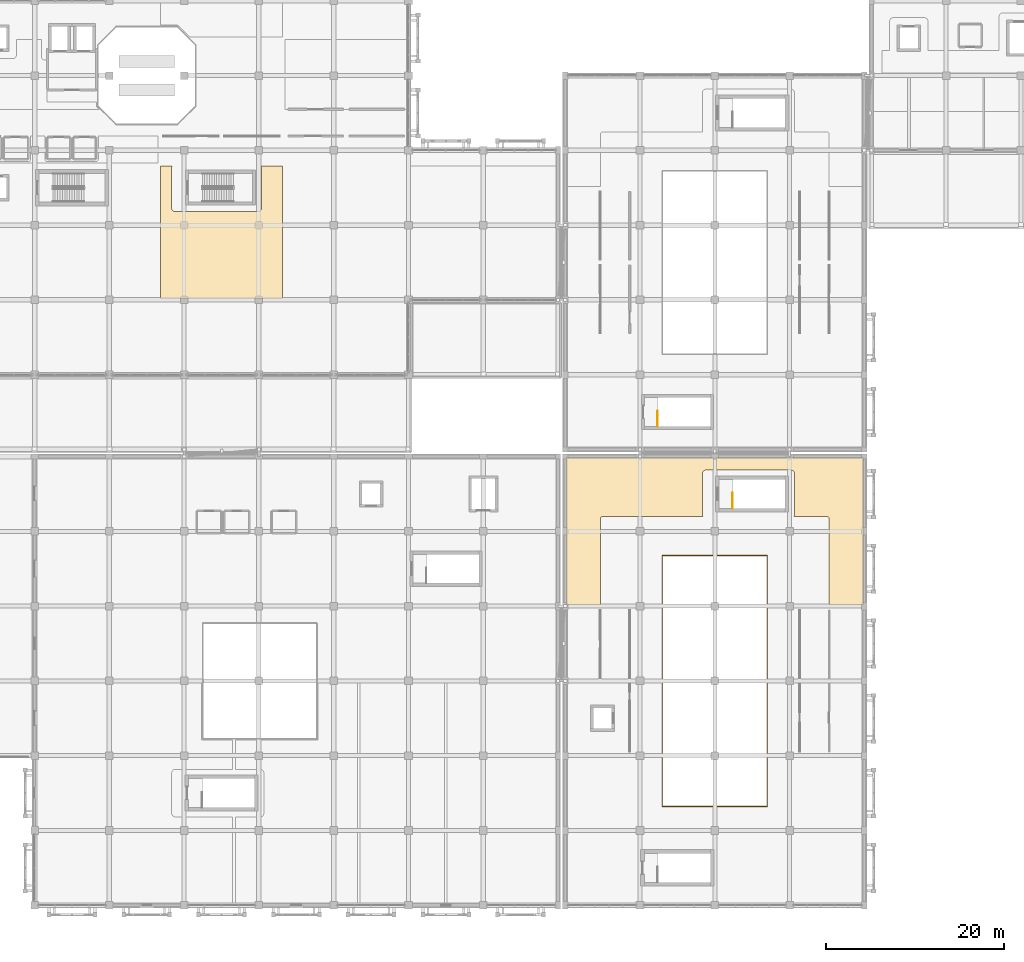
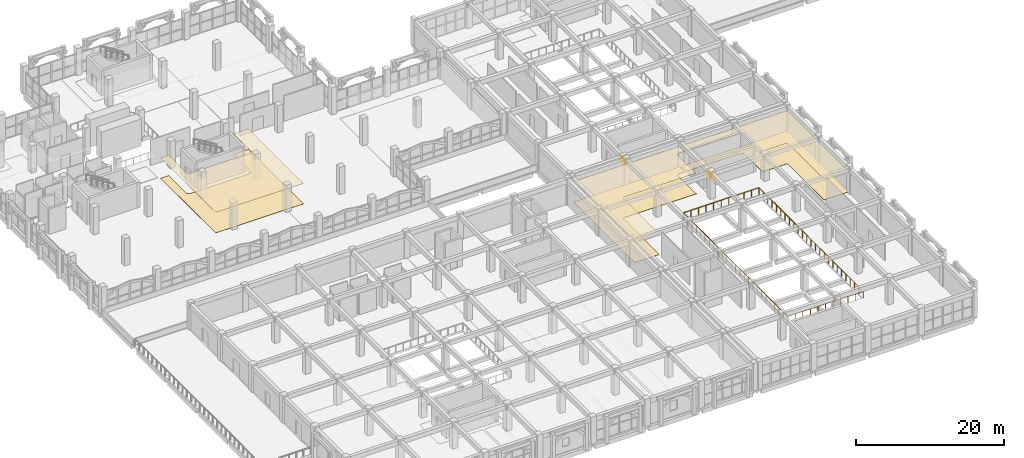
# One storey, part 120 of 129: 6 coverings, 3 railings.
"""IFC4 building model written with IfcOpenShell, lengths in metres."""

from ifc_helpers import new_model, si_unit, direction, frame, origin, origin_2d, place, context, subcontext, project, spatial, polyline, circle, outline, extrude, material, layer, layer_set, type_object, element, save


model = new_model("IFC4")

# Units and contexts
model_context = context("Model", 3, precision=1e-05, world=origin(), true_north=direction((0.0, 1.0)))
body_context = subcontext(model_context, "Body", "Model", "MODEL_VIEW")
ifc_project = project(units=[si_unit("LENGTHUNIT", "METRE"), si_unit("AREAUNIT", "SQUARE_METRE"), si_unit("VOLUMEUNIT", "CUBIC_METRE"), si_unit("PLANEANGLEUNIT", "RADIAN"), si_unit("MASSUNIT", "GRAM", prefix="KILO")], contexts=[model_context])

# Site, building, storey
site_placement = place(None, origin())
site = spatial("IfcSite", under=ifc_project, at=site_placement, CompositionType="ELEMENT")
building_placement = place(site_placement, origin())
building = spatial("IfcBuilding", under=site, at=building_placement, Name="Xazarin Passage Department Store", CompositionType="ELEMENT")
storey_placement = place(building_placement, frame((0.0, 0.0, 9.89990234375)))
storey = spatial("IfcBuildingStorey", under=building, at=storey_placement, Name="L02", CompositionType="ELEMENT", Elevation=9.89990234375)

# Coverings
ifc_material_1 = material(Name="Acoustic mineral ceiling")
ifc_layer_1 = layer(ifc_material_1, 0.030029296875)
ifc_layer_set_1 = layer_set([ifc_layer_1], Name="Acoustic mineral ceiling")
covering_type_1 = type_object("IfcCoveringType", Name="ARC-COV-CLG030", PredefinedType="CEILING", material=ifc_layer_set_1)
covering_1_placement = place(storey_placement, frame((0.0, 0.0, 3.3701171875)))
element("IfcCovering", 1, at=covering_1_placement, inside=storey, type_object=covering_type_1, Name="L02 Menswear Tailoring Salon Acoustic Ceiling", PredefinedType="CEILING", context=body_context, shape_type="SweptSolid", body=[
    extrude(outline(polyline([(33.856689453125, 83.050048828125), (33.86962890625, 83.023193359375), (33.8828125, 82.986083984375), (33.892333984375, 82.947998046875), (33.898193359375, 82.9091796875), (33.89990234375, 82.8701171875), (33.89990234375, 78.330078125), (33.898193359375, 78.290771484375), (33.892333984375, 78.251953125), (33.8828125, 78.2138671875), (33.86962890625, 78.177001953125), (33.852783203125, 78.141357421875), (33.83251953125, 78.10791015625), (33.80908203125, 78.076171875), (33.78271484375, 78.047119140625), (33.75390625, 78.020751953125), (33.72216796875, 77.997314453125), (33.688720703125, 77.977294921875), (33.653076171875, 77.96044921875), (33.6162109375, 77.947265625), (33.577880859375, 77.937744140625), (33.539306640625, 77.931884765625), (33.5, 77.929931640625), (24.199951171875, 77.929931640625), (24.160888671875, 77.931884765625), (24.1220703125, 77.937744140625), (24.083984375, 77.947265625), (24.046875, 77.96044921875), (24.011474609375, 77.977294921875), (23.977783203125, 77.997314453125), (23.9462890625, 78.020751953125), (23.917236328125, 78.047119140625), (23.890869140625, 78.076171875), (23.867431640625, 78.10791015625), (23.84716796875, 78.141357421875), (23.830322265625, 78.177001953125), (23.817138671875, 78.2138671875), (23.8076171875, 78.251953125), (23.802001953125, 78.290771484375), (23.800048828125, 78.330078125), (23.800048828125, 82.8701171875), (23.802001953125, 82.9091796875), (23.8076171875, 82.947998046875), (23.817138671875, 82.986083984375), (23.830322265625, 83.023193359375), (23.84326171875, 83.050048828125), (22.550048828125, 83.050048828125), (22.550048828125, 68.14990234375), (36.25, 68.14990234375), (36.25, 83.050048828125), (33.856689453125, 83.050048828125)])), origin(), (0.0, 0.0, 1.0), 0.030029296875),
])
covering_2_placement = place(storey_placement, frame((0.0, 0.0, 3.41015625)))
element("IfcCovering", 2, at=covering_2_placement, inside=storey, type_object=covering_type_1, Name="L02 Fragrance Atelier Acoustic Ceiling", PredefinedType="CEILING", context=body_context, shape_type="SweptSolid", body=[
    extrude(outline(polyline([(83.5146484375, 43.64990234375), (83.49072265625, 43.67626953125), (83.46728515625, 43.707763671875), (83.447265625, 43.741455078125), (83.430419921875, 43.77685546875), (83.417236328125, 43.81396484375), (83.40771484375, 43.85205078125), (83.40185546875, 43.890869140625), (83.39990234375, 43.929931640625), (83.39990234375, 48.469970703125), (83.40185546875, 48.50927734375), (83.40771484375, 48.548095703125), (83.417236328125, 48.586181640625), (83.430419921875, 48.623046875), (83.447265625, 48.65869140625), (83.46728515625, 48.692138671875), (83.49072265625, 48.723876953125), (83.51708984375, 48.752685546875), (83.546142578125, 48.779296875), (83.577880859375, 48.802490234375), (83.611328125, 48.82275390625), (83.64697265625, 48.839599609375), (83.683837890625, 48.852783203125), (83.721923828125, 48.8623046875), (83.7607421875, 48.8681640625), (83.800048828125, 48.8701171875), (84.64990234375, 48.8701171875), (84.64990234375, 50.300048828125), (68.10009765625, 50.300048828125), (68.10009765625, 33.75), (71.949951171875, 33.75), (71.949951171875, 43.39990234375), (71.951171875, 43.424560546875), (71.954833984375, 43.44873046875), (71.960693359375, 43.47265625), (71.968994140625, 43.49560546875), (71.9794921875, 43.517822265625), (71.9921875, 43.538818359375), (72.006591796875, 43.55859375), (72.023193359375, 43.576904296875), (72.04150390625, 43.59326171875), (72.06103515625, 43.60791015625), (72.082275390625, 43.62060546875), (72.104248046875, 43.631103515625), (72.12744140625, 43.63916015625), (72.151123046875, 43.645263671875), (72.175537109375, 43.648681640625), (72.199951171875, 43.64990234375), (83.5146484375, 43.64990234375)])), origin(), (0.0, 0.0, 1.0), 0.030029296875),
])
ifc_layer_2 = layer(ifc_material_1, 0.0400390625)
ifc_layer_set_2 = layer_set([ifc_layer_2], Name="Acoustic mineral ceiling")
covering_type_2 = type_object("IfcCoveringType", Name="ARC-COV-CLG040", PredefinedType="CEILING", material=ifc_layer_set_2)
covering_3_placement = place(storey_placement, frame((0.0, 0.0, 3.400146484375)))
element("IfcCovering", 3, at=covering_3_placement, inside=storey, type_object=covering_type_2, Name="L02 Millinery and Scarf Salon Acoustic Ceiling", PredefinedType="CEILING", context=body_context, shape_type="SweptSolid", body=[
    extrude(outline(polyline([(84.949951171875, 48.8701171875), (93.35009765625, 48.8701171875), (93.38916015625, 48.8681640625), (93.427978515625, 48.8623046875), (93.466064453125, 48.852783203125), (93.503173828125, 48.839599609375), (93.53857421875, 48.82275390625), (93.572265625, 48.802490234375), (93.603759765625, 48.779296875), (93.6328125, 48.752685546875), (93.6591796875, 48.723876953125), (93.6826171875, 48.692138671875), (93.702880859375, 48.65869140625), (93.719482421875, 48.623046875), (93.73291015625, 48.586181640625), (93.7421875, 48.548095703125), (93.748046875, 48.50927734375), (93.75, 48.469970703125), (93.75, 43.929931640625), (93.748046875, 43.890869140625), (93.7421875, 43.85205078125), (93.73291015625, 43.81396484375), (93.719482421875, 43.77685546875), (93.702880859375, 43.741455078125), (93.6826171875, 43.707763671875), (93.6591796875, 43.67626953125), (93.635498046875, 43.64990234375), (97.39990234375, 43.64990234375), (97.424560546875, 43.648681640625), (97.44873046875, 43.645263671875), (97.47265625, 43.63916015625), (97.49560546875, 43.631103515625), (97.517822265625, 43.62060546875), (97.538818359375, 43.60791015625), (97.55859375, 43.59326171875), (97.576904296875, 43.576904296875), (97.59326171875, 43.55859375), (97.60791015625, 43.538818359375), (97.62060546875, 43.517822265625), (97.631103515625, 43.49560546875), (97.63916015625, 43.47265625), (97.645263671875, 43.44873046875), (97.648681640625, 43.424560546875), (97.64990234375, 43.39990234375), (97.64990234375, 33.75), (101.5, 33.75), (101.5, 50.300048828125), (84.949951171875, 50.300048828125), (84.949951171875, 48.8701171875)])), origin(), (0.0, 0.0, 1.0), 0.0400390625),
])
ifc_material_2 = material(Name="Terrazzo stone flooring", Category="masonry")
ifc_layer_3 = layer(ifc_material_2, 0.02490234375)
ifc_layer_set_3 = layer_set([ifc_layer_3], Name="Terrazzo stone flooring")
covering_type_3 = type_object("IfcCoveringType", Name="ARC-COV-FLR025", PredefinedType="FLOORING", material=ifc_layer_set_3)
covering_4_placement = place(storey_placement, origin())
element("IfcCovering", 4, at=covering_4_placement, inside=storey, type_object=covering_type_3, Name="L02 Menswear Tailoring Salon Terrazzo Flooring", PredefinedType="FLOORING", context=body_context, shape_type="SweptSolid", body=[
    extrude(outline(polyline([(33.856689453125, 83.050048828125), (33.86962890625, 83.023193359375), (33.8828125, 82.986083984375), (33.892333984375, 82.947998046875), (33.898193359375, 82.9091796875), (33.89990234375, 82.8701171875), (33.89990234375, 78.330078125), (33.898193359375, 78.290771484375), (33.892333984375, 78.251953125), (33.8828125, 78.2138671875), (33.86962890625, 78.177001953125), (33.852783203125, 78.141357421875), (33.83251953125, 78.10791015625), (33.80908203125, 78.076171875), (33.78271484375, 78.047119140625), (33.75390625, 78.020751953125), (33.72216796875, 77.997314453125), (33.688720703125, 77.977294921875), (33.653076171875, 77.96044921875), (33.6162109375, 77.947265625), (33.577880859375, 77.937744140625), (33.539306640625, 77.931884765625), (33.5, 77.929931640625), (24.199951171875, 77.929931640625), (24.160888671875, 77.931884765625), (24.1220703125, 77.937744140625), (24.083984375, 77.947265625), (24.046875, 77.96044921875), (24.011474609375, 77.977294921875), (23.977783203125, 77.997314453125), (23.9462890625, 78.020751953125), (23.917236328125, 78.047119140625), (23.890869140625, 78.076171875), (23.867431640625, 78.10791015625), (23.84716796875, 78.141357421875), (23.830322265625, 78.177001953125), (23.817138671875, 78.2138671875), (23.8076171875, 78.251953125), (23.802001953125, 78.290771484375), (23.800048828125, 78.330078125), (23.800048828125, 82.8701171875), (23.802001953125, 82.9091796875), (23.8076171875, 82.947998046875), (23.817138671875, 82.986083984375), (23.830322265625, 83.023193359375), (23.84326171875, 83.050048828125), (22.550048828125, 83.050048828125), (22.550048828125, 68.14990234375), (36.25, 68.14990234375), (36.25, 83.050048828125), (33.856689453125, 83.050048828125)])), origin(), (0.0, 0.0, 1.0), 0.025146484375),
])
covering_5_placement = place(storey_placement, origin())
element("IfcCovering", 5, at=covering_5_placement, inside=storey, type_object=covering_type_3, Name="L02 Fragrance Atelier Terrazzo Flooring", PredefinedType="FLOORING", context=body_context, shape_type="SweptSolid", body=[
    extrude(outline(polyline([(83.5146484375, 43.64990234375), (83.49072265625, 43.67626953125), (83.46728515625, 43.707763671875), (83.447265625, 43.741455078125), (83.430419921875, 43.77685546875), (83.417236328125, 43.81396484375), (83.40771484375, 43.85205078125), (83.40185546875, 43.890869140625), (83.39990234375, 43.929931640625), (83.39990234375, 48.469970703125), (83.40185546875, 48.50927734375), (83.40771484375, 48.548095703125), (83.417236328125, 48.586181640625), (83.430419921875, 48.623046875), (83.447265625, 48.65869140625), (83.46728515625, 48.692138671875), (83.49072265625, 48.723876953125), (83.51708984375, 48.752685546875), (83.546142578125, 48.779296875), (83.577880859375, 48.802490234375), (83.611328125, 48.82275390625), (83.64697265625, 48.839599609375), (83.683837890625, 48.852783203125), (83.721923828125, 48.8623046875), (83.7607421875, 48.8681640625), (83.800048828125, 48.8701171875), (84.64990234375, 48.8701171875), (84.64990234375, 50.300048828125), (68.10009765625, 50.300048828125), (68.10009765625, 33.75), (71.949951171875, 33.75), (71.949951171875, 43.39990234375), (71.951171875, 43.424560546875), (71.954833984375, 43.44873046875), (71.960693359375, 43.47265625), (71.968994140625, 43.49560546875), (71.9794921875, 43.517822265625), (71.9921875, 43.538818359375), (72.006591796875, 43.55859375), (72.023193359375, 43.576904296875), (72.04150390625, 43.59326171875), (72.06103515625, 43.60791015625), (72.082275390625, 43.62060546875), (72.104248046875, 43.631103515625), (72.12744140625, 43.63916015625), (72.151123046875, 43.645263671875), (72.175537109375, 43.648681640625), (72.199951171875, 43.64990234375), (83.5146484375, 43.64990234375)])), origin(), (0.0, 0.0, 1.0), 0.025146484375),
])
ifc_layer_4 = layer(ifc_material_2, 0.034912109375)
ifc_layer_set_4 = layer_set([ifc_layer_4], Name="Terrazzo stone flooring")
covering_type_4 = type_object("IfcCoveringType", Name="ARC-COV-FLR035", PredefinedType="FLOORING", material=ifc_layer_set_4)
covering_6_placement = place(storey_placement, origin())
element("IfcCovering", 6, at=covering_6_placement, inside=storey, type_object=covering_type_4, Name="L02 Millinery and Scarf Salon Terrazzo Flooring", PredefinedType="FLOORING", context=body_context, shape_type="SweptSolid", body=[
    extrude(outline(polyline([(84.949951171875, 48.8701171875), (93.35009765625, 48.8701171875), (93.38916015625, 48.8681640625), (93.427978515625, 48.8623046875), (93.466064453125, 48.852783203125), (93.503173828125, 48.839599609375), (93.53857421875, 48.82275390625), (93.572265625, 48.802490234375), (93.603759765625, 48.779296875), (93.6328125, 48.752685546875), (93.6591796875, 48.723876953125), (93.6826171875, 48.692138671875), (93.702880859375, 48.65869140625), (93.719482421875, 48.623046875), (93.73291015625, 48.586181640625), (93.7421875, 48.548095703125), (93.748046875, 48.50927734375), (93.75, 48.469970703125), (93.75, 43.929931640625), (93.748046875, 43.890869140625), (93.7421875, 43.85205078125), (93.73291015625, 43.81396484375), (93.719482421875, 43.77685546875), (93.702880859375, 43.741455078125), (93.6826171875, 43.707763671875), (93.6591796875, 43.67626953125), (93.635498046875, 43.64990234375), (97.39990234375, 43.64990234375), (97.424560546875, 43.648681640625), (97.44873046875, 43.645263671875), (97.47265625, 43.63916015625), (97.49560546875, 43.631103515625), (97.517822265625, 43.62060546875), (97.538818359375, 43.60791015625), (97.55859375, 43.59326171875), (97.576904296875, 43.576904296875), (97.59326171875, 43.55859375), (97.60791015625, 43.538818359375), (97.62060546875, 43.517822265625), (97.631103515625, 43.49560546875), (97.63916015625, 43.47265625), (97.645263671875, 43.44873046875), (97.648681640625, 43.424560546875), (97.64990234375, 43.39990234375), (97.64990234375, 33.75), (101.5, 33.75), (101.5, 50.300048828125), (84.949951171875, 50.300048828125), (84.949951171875, 48.8701171875)])), origin(), (0.0, 0.0, 1.0), 0.03515625),
])

# Railings
ifc_material_3 = material(Name="Low-E laminated safety glass", Category="glass")
railing_type_1 = type_object("IfcRailingType", Name="ARC-RL-BAL115", PredefinedType="BALUSTRADE", material=ifc_material_3)
railing_placement = place(storey_placement, frame((78.89990234375, 11.10009765625, 0.0)))
element("IfcRailing", 7, at=railing_placement, inside=storey, type_object=railing_type_1, Name="L02 Void Edge Balustrade 0006", PredefinedType="BALUSTRADE", context=body_context, shape_type="SweptSolid", body=[
    extrude(circle(Radius=0.02392578125, at=origin_2d()), frame((0.03125, 0.0, 1.1259765625), z_axis=(1.0, 0.0, 0.0), x_axis=(0.0, 1.0, 0.0)), (0.0, 0.0, 1.0), 11.737548828125),
    extrude(circle(Radius=0.02392578125, at=origin_2d()), frame((11.800048828125, 0.03125, 1.1259765625), z_axis=(0.0, 1.0, 0.0), x_axis=(-1.0, 0.0, 0.0)), (0.0, 0.0, 1.0), 28.137451171875),
    extrude(circle(Radius=0.02392578125, at=origin_2d()), frame((11.768798828125, 28.199951171875, 1.1259765625), z_axis=(-1.0, 0.0, 0.0), x_axis=(0.0, -1.0, 0.0)), (0.0, 0.0, 1.0), 11.737548828125),
    extrude(circle(Radius=0.02392578125, at=origin_2d()), frame((0.0, 28.168701171875, 1.1259765625), z_axis=(0.0, -1.0, 0.0), x_axis=(1.0, 0.0, 0.0)), (0.0, 0.0, 1.0), 28.137451171875),
    extrude(circle(Radius=0.02099609375, at=origin_2d()), origin(), (0.0, 0.0, 1.0), 1.1015625),
    extrude(circle(Radius=0.02099609375, at=origin_2d()), frame((1.179931640625, 0.0, 0.0)), (0.0, 0.0, 1.0), 1.1015625),
    extrude(circle(Radius=0.02099609375, at=origin_2d()), frame((2.360107421875, 0.0, 0.0)), (0.0, 0.0, 1.0), 1.1015625),
    extrude(circle(Radius=0.02099609375, at=origin_2d()), frame((3.5400390625, 0.0, 0.0)), (0.0, 0.0, 1.0), 1.1015625),
    extrude(circle(Radius=0.02099609375, at=origin_2d()), frame((4.719970703125, 0.0, 0.0)), (0.0, 0.0, 1.0), 1.1015625),
    extrude(circle(Radius=0.02099609375, at=origin_2d()), frame((5.89990234375, 0.0, 0.0)), (0.0, 0.0, 1.0), 1.1015625),
    extrude(circle(Radius=0.02099609375, at=origin_2d()), frame((7.080078125, 0.0, 0.0)), (0.0, 0.0, 1.0), 1.1015625),
    extrude(circle(Radius=0.02099609375, at=origin_2d()), frame((8.260009765625, 0.0, 0.0)), (0.0, 0.0, 1.0), 1.1015625),
    extrude(circle(Radius=0.02099609375, at=origin_2d()), frame((9.43994140625, 0.0, 0.0)), (0.0, 0.0, 1.0), 1.1015625),
    extrude(circle(Radius=0.02099609375, at=origin_2d()), frame((10.6201171875, 0.0, 0.0)), (0.0, 0.0, 1.0), 1.1015625),
    extrude(circle(Radius=0.02099609375, at=origin_2d()), frame((11.800048828125, 0.0, 0.0)), (0.0, 0.0, 1.0), 1.1015625),
    extrude(circle(Radius=0.02099609375, at=origin_2d()), frame((11.800048828125, 1.175048828125, 0.0)), (0.0, 0.0, 1.0), 1.1015625),
    extrude(circle(Radius=0.02099609375, at=origin_2d()), frame((11.800048828125, 2.35009765625, 0.0)), (0.0, 0.0, 1.0), 1.1015625),
    extrude(circle(Radius=0.02099609375, at=origin_2d()), frame((11.800048828125, 3.52490234375, 0.0)), (0.0, 0.0, 1.0), 1.1015625),
    extrude(circle(Radius=0.02099609375, at=origin_2d()), frame((11.800048828125, 4.699951171875, 0.0)), (0.0, 0.0, 1.0), 1.1015625),
    extrude(circle(Radius=0.02099609375, at=origin_2d()), frame((11.800048828125, 5.875, 0.0)), (0.0, 0.0, 1.0), 1.1015625),
    extrude(circle(Radius=0.02099609375, at=origin_2d()), frame((11.800048828125, 7.050048828125, 0.0)), (0.0, 0.0, 1.0), 1.1015625),
    extrude(circle(Radius=0.02099609375, at=origin_2d()), frame((11.800048828125, 8.22509765625, 0.0)), (0.0, 0.0, 1.0), 1.1015625),
    extrude(circle(Radius=0.02099609375, at=origin_2d()), frame((11.800048828125, 9.39990234375, 0.0)), (0.0, 0.0, 1.0), 1.1015625),
    extrude(circle(Radius=0.02099609375, at=origin_2d()), frame((11.800048828125, 10.574951171875, 0.0)), (0.0, 0.0, 1.0), 1.1015625),
    extrude(circle(Radius=0.02099609375, at=origin_2d()), frame((11.800048828125, 11.75, 0.0)), (0.0, 0.0, 1.0), 1.1015625),
    extrude(circle(Radius=0.02099609375, at=origin_2d()), frame((11.800048828125, 12.925048828125, 0.0)), (0.0, 0.0, 1.0), 1.1015625),
    extrude(circle(Radius=0.02099609375, at=origin_2d()), frame((11.800048828125, 14.10009765625, 0.0)), (0.0, 0.0, 1.0), 1.1015625),
    extrude(circle(Radius=0.02099609375, at=origin_2d()), frame((11.800048828125, 15.27490234375, 0.0)), (0.0, 0.0, 1.0), 1.1015625),
    extrude(circle(Radius=0.02099609375, at=origin_2d()), frame((11.800048828125, 16.449951171875, 0.0)), (0.0, 0.0, 1.0), 1.1015625),
    extrude(circle(Radius=0.02099609375, at=origin_2d()), frame((11.800048828125, 17.625, 0.0)), (0.0, 0.0, 1.0), 1.1015625),
    extrude(circle(Radius=0.02099609375, at=origin_2d()), frame((11.800048828125, 18.800048828125, 0.0)), (0.0, 0.0, 1.0), 1.1015625),
    extrude(circle(Radius=0.02099609375, at=origin_2d()), frame((11.800048828125, 19.974853515625, 0.0)), (0.0, 0.0, 1.0), 1.1015625),
    extrude(circle(Radius=0.02099609375, at=origin_2d()), frame((11.800048828125, 21.14990234375, 0.0)), (0.0, 0.0, 1.0), 1.1015625),
    extrude(circle(Radius=0.02099609375, at=origin_2d()), frame((11.800048828125, 22.324951171875, 0.0)), (0.0, 0.0, 1.0), 1.1015625),
    extrude(circle(Radius=0.02099609375, at=origin_2d()), frame((11.800048828125, 23.5, 0.0)), (0.0, 0.0, 1.0), 1.1015625),
    extrude(circle(Radius=0.02099609375, at=origin_2d()), frame((11.800048828125, 24.675048828125, 0.0)), (0.0, 0.0, 1.0), 1.1015625),
    extrude(circle(Radius=0.02099609375, at=origin_2d()), frame((11.800048828125, 25.849853515625, 0.0)), (0.0, 0.0, 1.0), 1.1015625),
    extrude(circle(Radius=0.02099609375, at=origin_2d()), frame((11.800048828125, 27.02490234375, 0.0)), (0.0, 0.0, 1.0), 1.1015625),
    extrude(circle(Radius=0.02099609375, at=origin_2d()), frame((11.800048828125, 28.199951171875, 0.0)), (0.0, 0.0, 1.0), 1.1015625),
    extrude(circle(Radius=0.02099609375, at=origin_2d()), frame((10.6201171875, 28.199951171875, 0.0)), (0.0, 0.0, 1.0), 1.1015625),
    extrude(circle(Radius=0.02099609375, at=origin_2d()), frame((9.43994140625, 28.199951171875, 0.0)), (0.0, 0.0, 1.0), 1.1015625),
    extrude(circle(Radius=0.02099609375, at=origin_2d()), frame((8.260009765625, 28.199951171875, 0.0)), (0.0, 0.0, 1.0), 1.1015625),
    extrude(circle(Radius=0.02099609375, at=origin_2d()), frame((7.080078125, 28.199951171875, 0.0)), (0.0, 0.0, 1.0), 1.1015625),
    extrude(circle(Radius=0.02099609375, at=origin_2d()), frame((5.89990234375, 28.199951171875, 0.0)), (0.0, 0.0, 1.0), 1.1015625),
    extrude(circle(Radius=0.02099609375, at=origin_2d()), frame((4.719970703125, 28.199951171875, 0.0)), (0.0, 0.0, 1.0), 1.1015625),
    extrude(circle(Radius=0.02099609375, at=origin_2d()), frame((3.5400390625, 28.199951171875, 0.0)), (0.0, 0.0, 1.0), 1.1015625),
    extrude(circle(Radius=0.02099609375, at=origin_2d()), frame((2.360107421875, 28.199951171875, 0.0)), (0.0, 0.0, 1.0), 1.1015625),
    extrude(circle(Radius=0.02099609375, at=origin_2d()), frame((1.179931640625, 28.199951171875, 0.0)), (0.0, 0.0, 1.0), 1.1015625),
    extrude(circle(Radius=0.02099609375, at=origin_2d()), frame((0.0, 28.199951171875, 0.0)), (0.0, 0.0, 1.0), 1.1015625),
    extrude(circle(Radius=0.02099609375, at=origin_2d()), frame((0.0, 27.02490234375, 0.0)), (0.0, 0.0, 1.0), 1.1015625),
    extrude(circle(Radius=0.02099609375, at=origin_2d()), frame((0.0, 25.849853515625, 0.0)), (0.0, 0.0, 1.0), 1.1015625),
    extrude(circle(Radius=0.02099609375, at=origin_2d()), frame((0.0, 24.675048828125, 0.0)), (0.0, 0.0, 1.0), 1.1015625),
    extrude(circle(Radius=0.02099609375, at=origin_2d()), frame((0.0, 23.5, 0.0)), (0.0, 0.0, 1.0), 1.1015625),
    extrude(circle(Radius=0.02099609375, at=origin_2d()), frame((0.0, 22.324951171875, 0.0)), (0.0, 0.0, 1.0), 1.1015625),
    extrude(circle(Radius=0.02099609375, at=origin_2d()), frame((0.0, 21.14990234375, 0.0)), (0.0, 0.0, 1.0), 1.1015625),
    extrude(circle(Radius=0.02099609375, at=origin_2d()), frame((0.0, 19.974853515625, 0.0)), (0.0, 0.0, 1.0), 1.1015625),
    extrude(circle(Radius=0.02099609375, at=origin_2d()), frame((0.0, 18.800048828125, 0.0)), (0.0, 0.0, 1.0), 1.1015625),
    extrude(circle(Radius=0.02099609375, at=origin_2d()), frame((0.0, 17.625, 0.0)), (0.0, 0.0, 1.0), 1.1015625),
    extrude(circle(Radius=0.02099609375, at=origin_2d()), frame((0.0, 16.449951171875, 0.0)), (0.0, 0.0, 1.0), 1.1015625),
    extrude(circle(Radius=0.02099609375, at=origin_2d()), frame((0.0, 15.27490234375, 0.0)), (0.0, 0.0, 1.0), 1.1015625),
    extrude(circle(Radius=0.02099609375, at=origin_2d()), frame((0.0, 14.10009765625, 0.0)), (0.0, 0.0, 1.0), 1.1015625),
    extrude(circle(Radius=0.02099609375, at=origin_2d()), frame((0.0, 12.925048828125, 0.0)), (0.0, 0.0, 1.0), 1.1015625),
    extrude(circle(Radius=0.02099609375, at=origin_2d()), frame((0.0, 11.75, 0.0)), (0.0, 0.0, 1.0), 1.1015625),
    extrude(circle(Radius=0.02099609375, at=origin_2d()), frame((0.0, 10.574951171875, 0.0)), (0.0, 0.0, 1.0), 1.1015625),
    extrude(circle(Radius=0.02099609375, at=origin_2d()), frame((0.0, 9.39990234375, 0.0)), (0.0, 0.0, 1.0), 1.1015625),
    extrude(circle(Radius=0.02099609375, at=origin_2d()), frame((0.0, 8.22509765625, 0.0)), (0.0, 0.0, 1.0), 1.1015625),
    extrude(circle(Radius=0.02099609375, at=origin_2d()), frame((0.0, 7.050048828125, 0.0)), (0.0, 0.0, 1.0), 1.1015625),
    extrude(circle(Radius=0.02099609375, at=origin_2d()), frame((0.0, 5.875, 0.0)), (0.0, 0.0, 1.0), 1.1015625),
    extrude(circle(Radius=0.02099609375, at=origin_2d()), frame((0.0, 4.699951171875, 0.0)), (0.0, 0.0, 1.0), 1.1015625),
    extrude(circle(Radius=0.02099609375, at=origin_2d()), frame((0.0, 3.52490234375, 0.0)), (0.0, 0.0, 1.0), 1.1015625),
    extrude(circle(Radius=0.02099609375, at=origin_2d()), frame((0.0, 2.35009765625, 0.0)), (0.0, 0.0, 1.0), 1.1015625),
    extrude(circle(Radius=0.02099609375, at=origin_2d()), frame((0.0, 1.175048828125, 0.0)), (0.0, 0.0, 1.0), 1.1015625),
])
ifc_material_4 = material(Name="Steel S355", Category="steel")
railing_type_2 = type_object("IfcRailingType", Name="ARC-RL-GRD112", PredefinedType="GUARDRAIL", material=ifc_material_4)
for number, where, name in (
    (8, (86.7900390625, 44.580078125, 0.0), "L02 ST5 top well guard 1"),
    (9, (78.389892578125, 53.780029296875, 0.0), "L02 ST6 top well guard 1"),
):
    element("IfcRailing", number, at=place(storey_placement, frame(where)), inside=storey, type_object=railing_type_2, Name=name, PredefinedType="GUARDRAIL", context=body_context, shape_type="SweptSolid", body=[
        extrude(circle(Radius=0.02392578125, at=origin_2d()), frame((0.0, 0.0, 1.076171875), z_axis=(0.0, 1.0, 0.0), x_axis=(-1.0, 0.0, 0.0)), (0.0, 0.0, 1.0), 1.719970703125),
        extrude(circle(Radius=0.02099609375, at=origin_2d()), origin(), (0.0, 0.0, 1.0), 1.0517578125),
        extrude(circle(Radius=0.02099609375, at=origin_2d()), frame((0.0, 0.85986328125, 0.0)), (0.0, 0.0, 1.0), 1.0517578125),
        extrude(circle(Radius=0.02099609375, at=origin_2d()), frame((0.0, 1.719970703125, 0.0)), (0.0, 0.0, 1.0), 1.0517578125),
    ])

save(model, "model.ifc")
